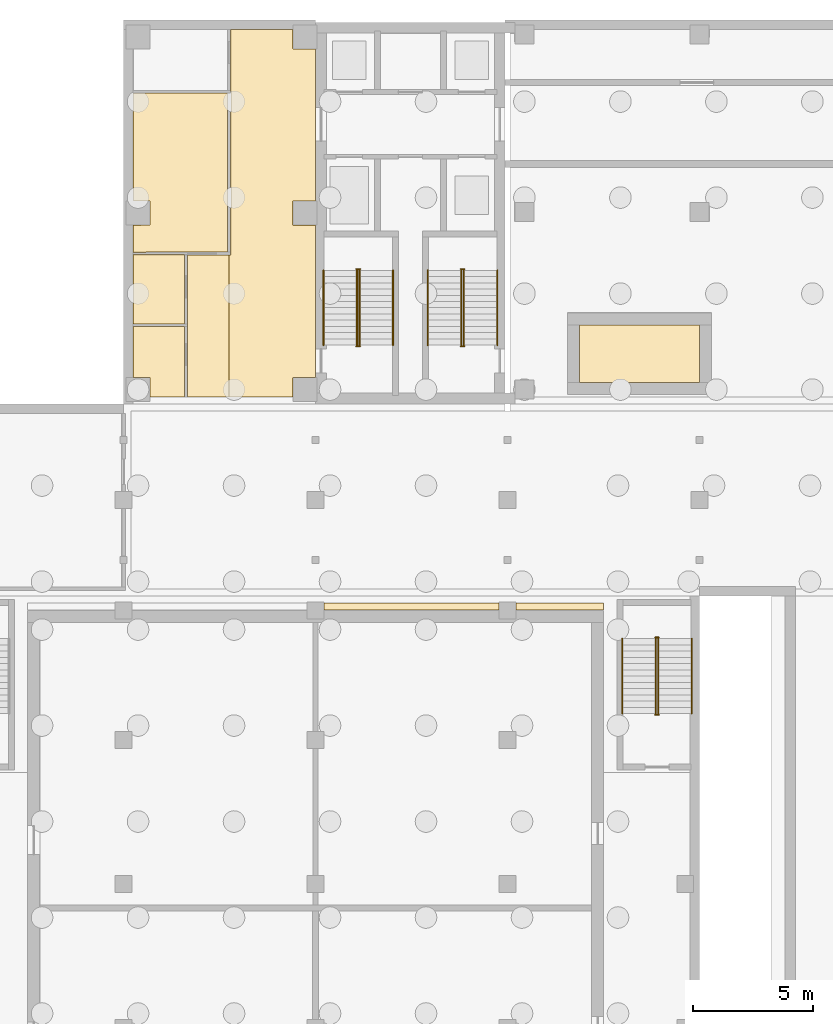
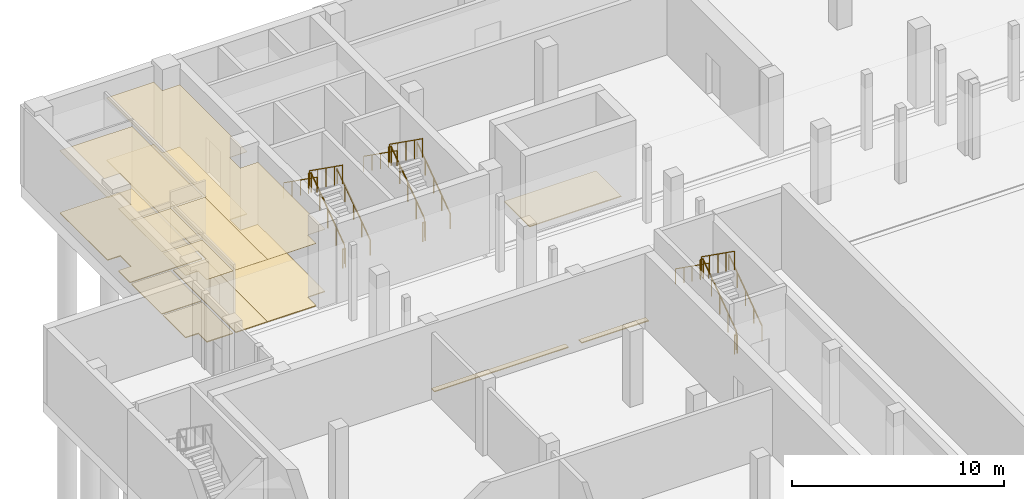
# One storey, part 14 of 21: 18 railings, 13 coverings.
"""IFC4 building model written with IfcOpenShell, lengths in metres."""

from ifc_helpers import new_model, si_unit, direction, frame, origin, origin_2d, place, context, subcontext, project, spatial, polyline, circle, outline, extrude, material, layer, layer_set, type_object, element, save


model = new_model("IFC4")

# Units and contexts
model_context = context("Model", 3, precision=1e-05, world=origin(), true_north=direction((0.0, 1.0)))
body_context = subcontext(model_context, "Body", "Model", "MODEL_VIEW")
ifc_project = project(units=[si_unit("LENGTHUNIT", "METRE"), si_unit("AREAUNIT", "SQUARE_METRE"), si_unit("VOLUMEUNIT", "CUBIC_METRE"), si_unit("PLANEANGLEUNIT", "RADIAN"), si_unit("MASSUNIT", "GRAM", prefix="KILO")], contexts=[model_context])

# Site, building, storey
site_placement = place(None, origin())
site = spatial("IfcSite", under=ifc_project, at=site_placement, CompositionType="ELEMENT")
building_placement = place(site_placement, origin())
building = spatial("IfcBuilding", under=site, at=building_placement, Name="Lantern Court Media Centre", CompositionType="ELEMENT")
storey_placement = place(building_placement, frame((0.0, 0.0, -4.800048828125)))
storey = spatial("IfcBuildingStorey", under=building, at=storey_placement, Name="B1", CompositionType="ELEMENT", Elevation=-4.800048828125)

# Coverings
ifc_material_1 = material(Name="Carpet")
ifc_layer_1 = layer(ifc_material_1, 0.050048828125)
ifc_layer_set_1 = layer_set([ifc_layer_1], Name="Carpet")
covering_type_1 = type_object("IfcCoveringType", Name="Carpet floor finish", PredefinedType="FLOORING", material=ifc_layer_set_1)
covering_1_placement = place(storey_placement, origin())
element("IfcCovering", 1, at=covering_1_placement, inside=storey, type_object=covering_type_1, Name="Chiller Plant Room floor finish", PredefinedType="FLOORING", context=body_context, shape_type="SweptSolid", body=[
    extrude(outline(polyline([(8.405029296875, 55.445068359375), (9.10498046875, 55.449951171875), (9.104248046875, 56.452880859375), (8.405029296875, 56.455078125), (8.405029296875, 60.9560546875), (12.33251953125, 60.9560546875), (12.33251953125, 54.33740234375), (8.405029296875, 54.324951171875), (8.405029296875, 55.445068359375)])), origin(), (0.0, 0.0, 1.0), 0.050048828125),
])
covering_2_placement = place(storey_placement, origin())
element("IfcCovering", 2, at=covering_2_placement, inside=storey, type_object=covering_type_1, Name="WC Male floor finish", PredefinedType="FLOORING", context=body_context, shape_type="SweptSolid", body=[
    extrude(outline(polyline([(9.10498046875, 48.300048828125), (9.103759765625, 49.103271484375), (8.405029296875, 49.10498046875), (8.405029296875, 51.22998046875), (10.532470703125, 51.22998046875), (10.532470703125, 48.300048828125), (9.10498046875, 48.300048828125)])), origin(), (0.0, 0.0, 1.0), 0.050048828125),
])
covering_3_placement = place(storey_placement, origin())
element("IfcCovering", 3, at=covering_3_placement, inside=storey, type_object=covering_type_1, Name="WC Female floor finish", PredefinedType="FLOORING", context=body_context, shape_type="SweptSolid", body=[
    extrude(outline(polyline([(8.405029296875, 54.215087890625), (10.532470703125, 54.215087890625), (10.532470703125, 51.340087890625), (8.405029296875, 51.340087890625), (8.405029296875, 54.215087890625)])), origin(), (0.0, 0.0, 1.0), 0.050048828125),
])
covering_4_placement = place(storey_placement, origin())
element("IfcCovering", 4, at=covering_4_placement, inside=storey, type_object=covering_type_1, Name="Fuel and Oil Store floor finish", PredefinedType="FLOORING", context=body_context, shape_type="SweptSolid", body=[
    extrude(outline(polyline([(23.64501953125, 39.699951171875), (23.64501953125, 39.405029296875), (16.35498046875, 39.405029296875), (16.35498046875, 39.699951171875), (23.64501953125, 39.699951171875)])), origin(), (0.0, 0.0, 1.0), 0.050048828125),
])
covering_5_placement = place(storey_placement, origin())
element("IfcCovering", 5, at=covering_5_placement, inside=storey, type_object=covering_type_1, Name="Fuel and Oil Store floor finish", PredefinedType="FLOORING", context=body_context, shape_type="SweptSolid", body=[
    extrude(outline(polyline([(28.0, 39.699951171875), (28.0, 39.405029296875), (24.35498046875, 39.405029296875), (24.35498046875, 39.699951171875), (28.0, 39.699951171875)])), origin(), (0.0, 0.0, 1.0), 0.050048828125),
])
covering_6_placement = place(storey_placement, origin())
element("IfcCovering", 6, at=covering_6_placement, inside=storey, type_object=covering_type_1, Name="Library Archive Vault floor finish", PredefinedType="FLOORING", context=body_context, shape_type="SweptSolid", body=[
    extrude(outline(polyline([(31.9951171875, 48.905029296875), (27.0048828125, 48.905029296875), (27.0048828125, 51.294921875), (31.9951171875, 51.294921875), (31.9951171875, 48.905029296875)])), origin(), (0.0, 0.0, 1.0), 0.050048828125),
])

# Railings
ifc_material_2 = material(Name="Powder-coated steel", Category="steel")
railing_type_1 = type_object("IfcRailingType", Name="Stair guard 1100", PredefinedType="GUARDRAIL", material=ifc_material_2)
railing_1_placement = place(storey_placement, frame((17.825927734375, 50.449951171875, 0.1845703125)))
element("IfcRailing", 7, at=railing_1_placement, inside=storey, type_object=railing_type_1, Name="B1 ST-SWA stair guard 1", PredefinedType="GUARDRAIL", context=body_context, shape_type="SweptSolid", body=[
    extrude(circle(Radius=0.02392578125, at=origin_2d()), frame((0.0, 0.0, 1.076171875), z_axis=(0.0, 0.815346844174, 0.578972817752), x_axis=(-1.0, 0.0, 0.0)), (0.0, 0.0, 1.0), 3.82666015625),
    extrude(circle(Radius=0.02099609375, at=origin_2d()), origin(), (0.0, 0.0, 1.0), 1.052001953125),
    extrude(circle(Radius=0.02099609375, at=origin_2d()), frame((0.0, 0.780029296875, 0.553955078125)), (0.0, 0.0, 1.0), 1.052001953125),
    extrude(circle(Radius=0.02099609375, at=origin_2d()), frame((0.0, 1.56005859375, 1.10791015625)), (0.0, 0.0, 1.0), 1.052001953125),
    extrude(circle(Radius=0.02099609375, at=origin_2d()), frame((0.0, 2.340087890625, 1.66162109375)), (0.0, 0.0, 1.0), 1.052001953125),
    extrude(circle(Radius=0.02099609375, at=origin_2d()), frame((0.0, 3.1201171875, 2.215576171875)), (0.0, 0.0, 1.0), 1.052001953125),
])
railing_2_placement = place(storey_placement, frame((17.85009765625, 53.6201171875, 2.400146484375)))
element("IfcRailing", 8, at=railing_2_placement, inside=storey, type_object=railing_type_1, Name="B1 ST-SWA stair guard 2", PredefinedType="GUARDRAIL", context=body_context, shape_type="SweptSolid", body=[
    extrude(circle(Radius=0.02392578125, at=origin_2d()), frame((0.0, 0.0, 1.076171875), z_axis=(-1.0, 0.0, 0.0), x_axis=(0.0, -1.0, 0.0)), (0.0, 0.0, 1.0), 0.150146484375),
    extrude(circle(Radius=0.02099609375, at=origin_2d()), origin(), (0.0, 0.0, 1.0), 1.052001953125),
    extrude(circle(Radius=0.02099609375, at=origin_2d()), frame((-0.150146484375, 0.0, 0.0)), (0.0, 0.0, 1.0), 1.052001953125),
])
railing_3_placement = place(storey_placement, frame((17.72412109375, 53.570068359375, 2.584716796875)))
element("IfcRailing", 9, at=railing_3_placement, inside=storey, type_object=railing_type_1, Name="B1 ST-SWA stair guard 3", PredefinedType="GUARDRAIL", context=body_context, shape_type="SweptSolid", body=[
    extrude(circle(Radius=0.02392578125, at=origin_2d()), frame((0.0, 0.0, 1.076171875), z_axis=(0.0, -0.815376961211, 0.578930402662), x_axis=(1.0, 0.0, 0.0)), (0.0, 0.0, 1.0), 3.82666015625),
    extrude(circle(Radius=0.02099609375, at=origin_2d()), origin(), (0.0, 0.0, 1.0), 1.052001953125),
    extrude(circle(Radius=0.02099609375, at=origin_2d()), frame((0.0, -0.780029296875, 0.5537109375)), (0.0, 0.0, 1.0), 1.052001953125),
    extrude(circle(Radius=0.02099609375, at=origin_2d()), frame((0.0, -1.56005859375, 1.107666015625)), (0.0, 0.0, 1.0), 1.052001953125),
    extrude(circle(Radius=0.02099609375, at=origin_2d()), frame((0.0, -2.340087890625, 1.66162109375)), (0.0, 0.0, 1.0), 1.052001953125),
    extrude(circle(Radius=0.02099609375, at=origin_2d()), frame((0.0, -3.1201171875, 2.21533203125)), (0.0, 0.0, 1.0), 1.052001953125),
])
railing_4_placement = place(storey_placement, frame((17.85009765625, 50.39990234375, 0.0)))
element("IfcRailing", 10, at=railing_4_placement, inside=storey, type_object=railing_type_1, Name="B1 ST-SWA stair guard 4", PredefinedType="GUARDRAIL", context=body_context, shape_type="SweptSolid", body=[
    extrude(circle(Radius=0.02392578125, at=origin_2d()), frame((0.0, 0.0, 1.076171875), z_axis=(-1.0, 0.0, 0.0), x_axis=(0.0, -1.0, 0.0)), (0.0, 0.0, 1.0), 0.150146484375),
    extrude(circle(Radius=0.02099609375, at=origin_2d()), origin(), (0.0, 0.0, 1.0), 1.052001953125),
    extrude(circle(Radius=0.02099609375, at=origin_2d()), frame((-0.150146484375, 0.0, 0.0)), (0.0, 0.0, 1.0), 1.052001953125),
])
railing_5_placement = place(storey_placement, frame((22.176025390625, 50.449951171875, 0.1845703125)))
element("IfcRailing", 11, at=railing_5_placement, inside=storey, type_object=railing_type_1, Name="B1 ST-SWB stair guard 1", PredefinedType="GUARDRAIL", context=body_context, shape_type="SweptSolid", body=[
    extrude(circle(Radius=0.02392578125, at=origin_2d()), frame((0.0, 0.0, 1.076171875), z_axis=(0.0, 0.815346844174, 0.578972817752), x_axis=(-1.0, 0.0, 0.0)), (0.0, 0.0, 1.0), 3.82666015625),
    extrude(circle(Radius=0.02099609375, at=origin_2d()), origin(), (0.0, 0.0, 1.0), 1.052001953125),
    extrude(circle(Radius=0.02099609375, at=origin_2d()), frame((0.0, 0.780029296875, 0.553955078125)), (0.0, 0.0, 1.0), 1.052001953125),
    extrude(circle(Radius=0.02099609375, at=origin_2d()), frame((0.0, 1.56005859375, 1.10791015625)), (0.0, 0.0, 1.0), 1.052001953125),
    extrude(circle(Radius=0.02099609375, at=origin_2d()), frame((0.0, 2.340087890625, 1.66162109375)), (0.0, 0.0, 1.0), 1.052001953125),
    extrude(circle(Radius=0.02099609375, at=origin_2d()), frame((0.0, 3.1201171875, 2.215576171875)), (0.0, 0.0, 1.0), 1.052001953125),
])
railing_6_placement = place(storey_placement, frame((22.199951171875, 53.6201171875, 2.400146484375)))
element("IfcRailing", 12, at=railing_6_placement, inside=storey, type_object=railing_type_1, Name="B1 ST-SWB stair guard 2", PredefinedType="GUARDRAIL", context=body_context, shape_type="SweptSolid", body=[
    extrude(circle(Radius=0.02392578125, at=origin_2d()), frame((0.0, 0.0, 1.076171875), z_axis=(-1.0, 0.0, 0.0), x_axis=(0.0, -1.0, 0.0)), (0.0, 0.0, 1.0), 0.14990234375),
    extrude(circle(Radius=0.02099609375, at=origin_2d()), origin(), (0.0, 0.0, 1.0), 1.052001953125),
    extrude(circle(Radius=0.02099609375, at=origin_2d()), frame((-0.14990234375, 0.0, 0.0)), (0.0, 0.0, 1.0), 1.052001953125),
])
railing_7_placement = place(storey_placement, frame((22.073974609375, 53.570068359375, 2.584716796875)))
element("IfcRailing", 13, at=railing_7_placement, inside=storey, type_object=railing_type_1, Name="B1 ST-SWB stair guard 3", PredefinedType="GUARDRAIL", context=body_context, shape_type="SweptSolid", body=[
    extrude(circle(Radius=0.02392578125, at=origin_2d()), frame((0.0, 0.0, 1.076171875), z_axis=(0.0, -0.815376961211, 0.578930402662), x_axis=(1.0, 0.0, 0.0)), (0.0, 0.0, 1.0), 3.82666015625),
    extrude(circle(Radius=0.02099609375, at=origin_2d()), origin(), (0.0, 0.0, 1.0), 1.052001953125),
    extrude(circle(Radius=0.02099609375, at=origin_2d()), frame((0.0, -0.780029296875, 0.5537109375)), (0.0, 0.0, 1.0), 1.052001953125),
    extrude(circle(Radius=0.02099609375, at=origin_2d()), frame((0.0, -1.56005859375, 1.107666015625)), (0.0, 0.0, 1.0), 1.052001953125),
    extrude(circle(Radius=0.02099609375, at=origin_2d()), frame((0.0, -2.340087890625, 1.66162109375)), (0.0, 0.0, 1.0), 1.052001953125),
    extrude(circle(Radius=0.02099609375, at=origin_2d()), frame((0.0, -3.1201171875, 2.21533203125)), (0.0, 0.0, 1.0), 1.052001953125),
])
railing_8_placement = place(storey_placement, frame((22.199951171875, 50.39990234375, 0.0)))
element("IfcRailing", 14, at=railing_8_placement, inside=storey, type_object=railing_type_1, Name="B1 ST-SWB stair guard 4", PredefinedType="GUARDRAIL", context=body_context, shape_type="SweptSolid", body=[
    extrude(circle(Radius=0.02392578125, at=origin_2d()), frame((0.0, 0.0, 1.076171875), z_axis=(-1.0, 0.0, 0.0), x_axis=(0.0, -1.0, 0.0)), (0.0, 0.0, 1.0), 0.14990234375),
    extrude(circle(Radius=0.02099609375, at=origin_2d()), origin(), (0.0, 0.0, 1.0), 1.052001953125),
    extrude(circle(Radius=0.02099609375, at=origin_2d()), frame((-0.14990234375, 0.0, 0.0)), (0.0, 0.0, 1.0), 1.052001953125),
])
railing_9_placement = place(storey_placement, frame((30.27587890625, 35.10009765625, 0.1845703125)))
element("IfcRailing", 15, at=railing_9_placement, inside=storey, type_object=railing_type_1, Name="B1 ST-V1-ST-E stair guard 1", PredefinedType="GUARDRAIL", context=body_context, shape_type="SweptSolid", body=[
    extrude(circle(Radius=0.02392578125, at=origin_2d()), frame((0.0, 0.0, 1.076171875), z_axis=(0.0, 0.815325456587, 0.579002935952), x_axis=(-1.0, 0.0, 0.0)), (0.0, 0.0, 1.0), 3.826416015625),
    extrude(circle(Radius=0.02099609375, at=origin_2d()), origin(), (0.0, 0.0, 1.0), 1.052001953125),
    extrude(circle(Radius=0.02099609375, at=origin_2d()), frame((0.0, 0.780029296875, 0.553955078125)), (0.0, 0.0, 1.0), 1.052001953125),
    extrude(circle(Radius=0.02099609375, at=origin_2d()), frame((0.0, 1.56005859375, 1.10791015625)), (0.0, 0.0, 1.0), 1.052001953125),
    extrude(circle(Radius=0.02099609375, at=origin_2d()), frame((0.0, 2.33984375, 1.66162109375)), (0.0, 0.0, 1.0), 1.052001953125),
    extrude(circle(Radius=0.02099609375, at=origin_2d()), frame((0.0, 3.119873046875, 2.215576171875)), (0.0, 0.0, 1.0), 1.052001953125),
])
railing_10_placement = place(storey_placement, frame((30.300048828125, 38.27001953125, 2.400146484375)))
element("IfcRailing", 16, at=railing_10_placement, inside=storey, type_object=railing_type_1, Name="B1 ST-V1-ST-E stair guard 2", PredefinedType="GUARDRAIL", context=body_context, shape_type="SweptSolid", body=[
    extrude(circle(Radius=0.02392578125, at=origin_2d()), frame((0.0, 0.0, 1.076171875), z_axis=(-1.0, 0.0, 0.0), x_axis=(0.0, -1.0, 0.0)), (0.0, 0.0, 1.0), 0.150146484375),
    extrude(circle(Radius=0.02099609375, at=origin_2d()), origin(), (0.0, 0.0, 1.0), 1.052001953125),
    extrude(circle(Radius=0.02099609375, at=origin_2d()), frame((-0.150146484375, 0.0, 0.0)), (0.0, 0.0, 1.0), 1.052001953125),
])
railing_11_placement = place(storey_placement, frame((30.174072265625, 38.219970703125, 2.584716796875)))
element("IfcRailing", 17, at=railing_11_placement, inside=storey, type_object=railing_type_1, Name="B1 ST-V1-ST-E stair guard 3", PredefinedType="GUARDRAIL", context=body_context, shape_type="SweptSolid", body=[
    extrude(circle(Radius=0.02392578125, at=origin_2d()), frame((0.0, 0.0, 1.076171875), z_axis=(0.0, -0.815355575968, 0.57896052088), x_axis=(1.0, 0.0, 0.0)), (0.0, 0.0, 1.0), 3.826416015625),
    extrude(circle(Radius=0.02099609375, at=origin_2d()), origin(), (0.0, 0.0, 1.0), 1.052001953125),
    extrude(circle(Radius=0.02099609375, at=origin_2d()), frame((0.0, -0.780029296875, 0.5537109375)), (0.0, 0.0, 1.0), 1.052001953125),
    extrude(circle(Radius=0.02099609375, at=origin_2d()), frame((0.0, -1.56005859375, 1.107666015625)), (0.0, 0.0, 1.0), 1.052001953125),
    extrude(circle(Radius=0.02099609375, at=origin_2d()), frame((0.0, -2.33984375, 1.66162109375)), (0.0, 0.0, 1.0), 1.052001953125),
    extrude(circle(Radius=0.02099609375, at=origin_2d()), frame((0.0, -3.119873046875, 2.21533203125)), (0.0, 0.0, 1.0), 1.052001953125),
])
railing_12_placement = place(storey_placement, frame((30.300048828125, 35.050048828125, 0.0)))
element("IfcRailing", 18, at=railing_12_placement, inside=storey, type_object=railing_type_1, Name="B1 ST-V1-ST-E stair guard 4", PredefinedType="GUARDRAIL", context=body_context, shape_type="SweptSolid", body=[
    extrude(circle(Radius=0.02392578125, at=origin_2d()), frame((0.0, 0.0, 1.076171875), z_axis=(-1.0, 0.0, 0.0), x_axis=(0.0, -1.0, 0.0)), (0.0, 0.0, 1.0), 0.150146484375),
    extrude(circle(Radius=0.02099609375, at=origin_2d()), origin(), (0.0, 0.0, 1.0), 1.052001953125),
    extrude(circle(Radius=0.02099609375, at=origin_2d()), frame((-0.150146484375, 0.0, 0.0)), (0.0, 0.0, 1.0), 1.052001953125),
])
railing_type_2 = type_object("IfcRailingType", Name="Stair handrail 900", PredefinedType="HANDRAIL", material=ifc_material_2)
railing_13_placement = place(storey_placement, frame((19.22412109375, 50.449951171875, 0.1845703125)))
element("IfcRailing", 19, at=railing_13_placement, inside=storey, type_object=railing_type_2, Name="B1 ST-SWA stair handrail 1", PredefinedType="HANDRAIL", context=body_context, shape_type="SweptSolid", body=[
    extrude(circle(Radius=0.02392578125, at=origin_2d()), frame((0.0, 0.0, 0.8759765625), z_axis=(0.0, 0.815346844174, 0.578972817752), x_axis=(-1.0, 0.0, 0.0)), (0.0, 0.0, 1.0), 3.82666015625),
    extrude(circle(Radius=0.02099609375, at=origin_2d()), origin(), (0.0, 0.0, 1.0), 0.851806640625),
    extrude(circle(Radius=0.02099609375, at=origin_2d()), frame((0.0, 0.780029296875, 0.553955078125)), (0.0, 0.0, 1.0), 0.851806640625),
    extrude(circle(Radius=0.02099609375, at=origin_2d()), frame((0.0, 1.56005859375, 1.10791015625)), (0.0, 0.0, 1.0), 0.851806640625),
    extrude(circle(Radius=0.02099609375, at=origin_2d()), frame((0.0, 2.340087890625, 1.66162109375)), (0.0, 0.0, 1.0), 0.851806640625),
    extrude(circle(Radius=0.02099609375, at=origin_2d()), frame((0.0, 3.1201171875, 2.215576171875)), (0.0, 0.0, 1.0), 0.851806640625),
])
railing_14_placement = place(storey_placement, frame((16.325927734375, 53.570068359375, 2.584716796875)))
element("IfcRailing", 20, at=railing_14_placement, inside=storey, type_object=railing_type_2, Name="B1 ST-SWA stair handrail 2", PredefinedType="HANDRAIL", context=body_context, shape_type="SweptSolid", body=[
    extrude(circle(Radius=0.02392578125, at=origin_2d()), frame((0.0, 0.0, 0.8759765625), z_axis=(0.0, -0.815376961211, 0.578930402662), x_axis=(1.0, 0.0, 0.0)), (0.0, 0.0, 1.0), 3.82666015625),
    extrude(circle(Radius=0.02099609375, at=origin_2d()), origin(), (0.0, 0.0, 1.0), 0.851806640625),
    extrude(circle(Radius=0.02099609375, at=origin_2d()), frame((0.0, -0.780029296875, 0.5537109375)), (0.0, 0.0, 1.0), 0.851806640625),
    extrude(circle(Radius=0.02099609375, at=origin_2d()), frame((0.0, -1.56005859375, 1.107666015625)), (0.0, 0.0, 1.0), 0.851806640625),
    extrude(circle(Radius=0.02099609375, at=origin_2d()), frame((0.0, -2.340087890625, 1.66162109375)), (0.0, 0.0, 1.0), 0.851806640625),
    extrude(circle(Radius=0.02099609375, at=origin_2d()), frame((0.0, -3.1201171875, 2.21533203125)), (0.0, 0.0, 1.0), 0.851806640625),
])
railing_15_placement = place(storey_placement, frame((23.573974609375, 50.449951171875, 0.1845703125)))
element("IfcRailing", 21, at=railing_15_placement, inside=storey, type_object=railing_type_2, Name="B1 ST-SWB stair handrail 1", PredefinedType="HANDRAIL", context=body_context, shape_type="SweptSolid", body=[
    extrude(circle(Radius=0.02392578125, at=origin_2d()), frame((0.0, 0.0, 0.8759765625), z_axis=(0.0, 0.815346844174, 0.578972817752), x_axis=(-1.0, 0.0, 0.0)), (0.0, 0.0, 1.0), 3.82666015625),
    extrude(circle(Radius=0.02099609375, at=origin_2d()), origin(), (0.0, 0.0, 1.0), 0.851806640625),
    extrude(circle(Radius=0.02099609375, at=origin_2d()), frame((0.0, 0.780029296875, 0.553955078125)), (0.0, 0.0, 1.0), 0.851806640625),
    extrude(circle(Radius=0.02099609375, at=origin_2d()), frame((0.0, 1.56005859375, 1.10791015625)), (0.0, 0.0, 1.0), 0.851806640625),
    extrude(circle(Radius=0.02099609375, at=origin_2d()), frame((0.0, 2.340087890625, 1.66162109375)), (0.0, 0.0, 1.0), 0.851806640625),
    extrude(circle(Radius=0.02099609375, at=origin_2d()), frame((0.0, 3.1201171875, 2.215576171875)), (0.0, 0.0, 1.0), 0.851806640625),
])
railing_16_placement = place(storey_placement, frame((20.676025390625, 53.570068359375, 2.584716796875)))
element("IfcRailing", 22, at=railing_16_placement, inside=storey, type_object=railing_type_2, Name="B1 ST-SWB stair handrail 2", PredefinedType="HANDRAIL", context=body_context, shape_type="SweptSolid", body=[
    extrude(circle(Radius=0.02392578125, at=origin_2d()), frame((0.0, 0.0, 0.8759765625), z_axis=(0.0, -0.815376961211, 0.578930402662), x_axis=(1.0, 0.0, 0.0)), (0.0, 0.0, 1.0), 3.82666015625),
    extrude(circle(Radius=0.02099609375, at=origin_2d()), origin(), (0.0, 0.0, 1.0), 0.851806640625),
    extrude(circle(Radius=0.02099609375, at=origin_2d()), frame((0.0, -0.780029296875, 0.5537109375)), (0.0, 0.0, 1.0), 0.851806640625),
    extrude(circle(Radius=0.02099609375, at=origin_2d()), frame((0.0, -1.56005859375, 1.107666015625)), (0.0, 0.0, 1.0), 0.851806640625),
    extrude(circle(Radius=0.02099609375, at=origin_2d()), frame((0.0, -2.340087890625, 1.66162109375)), (0.0, 0.0, 1.0), 0.851806640625),
    extrude(circle(Radius=0.02099609375, at=origin_2d()), frame((0.0, -3.1201171875, 2.21533203125)), (0.0, 0.0, 1.0), 0.851806640625),
])
railing_17_placement = place(storey_placement, frame((31.674072265625, 35.10009765625, 0.1845703125)))
element("IfcRailing", 23, at=railing_17_placement, inside=storey, type_object=railing_type_2, Name="B1 ST-V1-ST-E stair handrail 1", PredefinedType="HANDRAIL", context=body_context, shape_type="SweptSolid", body=[
    extrude(circle(Radius=0.02392578125, at=origin_2d()), frame((0.0, 0.0, 0.8759765625), z_axis=(0.0, 0.815325456587, 0.579002935952), x_axis=(-1.0, 0.0, 0.0)), (0.0, 0.0, 1.0), 3.826416015625),
    extrude(circle(Radius=0.02099609375, at=origin_2d()), origin(), (0.0, 0.0, 1.0), 0.851806640625),
    extrude(circle(Radius=0.02099609375, at=origin_2d()), frame((0.0, 0.780029296875, 0.553955078125)), (0.0, 0.0, 1.0), 0.851806640625),
    extrude(circle(Radius=0.02099609375, at=origin_2d()), frame((0.0, 1.56005859375, 1.10791015625)), (0.0, 0.0, 1.0), 0.851806640625),
    extrude(circle(Radius=0.02099609375, at=origin_2d()), frame((0.0, 2.33984375, 1.66162109375)), (0.0, 0.0, 1.0), 0.851806640625),
    extrude(circle(Radius=0.02099609375, at=origin_2d()), frame((0.0, 3.119873046875, 2.215576171875)), (0.0, 0.0, 1.0), 0.851806640625),
])
railing_18_placement = place(storey_placement, frame((28.77587890625, 38.219970703125, 2.584716796875)))
element("IfcRailing", 24, at=railing_18_placement, inside=storey, type_object=railing_type_2, Name="B1 ST-V1-ST-E stair handrail 2", PredefinedType="HANDRAIL", context=body_context, shape_type="SweptSolid", body=[
    extrude(circle(Radius=0.02392578125, at=origin_2d()), frame((0.0, 0.0, 0.8759765625), z_axis=(0.0, -0.815355575968, 0.57896052088), x_axis=(1.0, 0.0, 0.0)), (0.0, 0.0, 1.0), 3.826416015625),
    extrude(circle(Radius=0.02099609375, at=origin_2d()), origin(), (0.0, 0.0, 1.0), 0.851806640625),
    extrude(circle(Radius=0.02099609375, at=origin_2d()), frame((0.0, -0.780029296875, 0.5537109375)), (0.0, 0.0, 1.0), 0.851806640625),
    extrude(circle(Radius=0.02099609375, at=origin_2d()), frame((0.0, -1.56005859375, 1.107666015625)), (0.0, 0.0, 1.0), 0.851806640625),
    extrude(circle(Radius=0.02099609375, at=origin_2d()), frame((0.0, -2.33984375, 1.66162109375)), (0.0, 0.0, 1.0), 0.851806640625),
    extrude(circle(Radius=0.02099609375, at=origin_2d()), frame((0.0, -3.119873046875, 2.21533203125)), (0.0, 0.0, 1.0), 0.851806640625),
])

# Coverings
ifc_material_3 = material(Name="Mineral fibre ceiling tile")
ifc_layer_2 = layer(ifc_material_3, 0.02001953125)
ifc_layer_set_2 = layer_set([ifc_layer_2], Name="Mineral fibre ceiling tile")
covering_type_2 = type_object("IfcCoveringType", Name="Suspended ceiling tile", PredefinedType="CEILING", material=ifc_layer_set_2)
covering_7_placement = place(storey_placement, frame((0.0, 0.0, 3.60009765625)))
element("IfcCovering", 25, at=covering_7_placement, inside=storey, type_object=covering_type_2, Name="Corridor ceiling", PredefinedType="CEILING", context=body_context, shape_type="SweptSolid", body=[
    extrude(outline(polyline([(12.39990234375, 48.300048828125), (12.39990234375, 54.20703125), (12.462890625, 54.20751953125), (12.462890625, 63.599609375), (15.049560546875, 63.599609375), (15.049560546875, 62.799560546875), (15.99951171875, 62.799560546875), (15.99951171875, 56.450439453125), (15.049560546875, 56.449951171875), (15.049560546875, 55.44970703125), (15.99951171875, 55.449462890625), (15.99951171875, 49.1005859375), (15.049560546875, 49.100341796875), (15.049560546875, 48.300048828125), (12.39990234375, 48.300048828125)])), origin(), (0.0, 0.0, 1.0), 0.02001953125),
])
covering_8_placement = place(storey_placement, frame((0.0, 0.0, 3.60009765625)))
element("IfcCovering", 26, at=covering_8_placement, inside=storey, type_object=covering_type_2, Name="Chiller Plant Room ceiling", PredefinedType="CEILING", context=body_context, shape_type="SweptSolid", body=[
    extrude(outline(polyline([(8.400390625, 55.449462890625), (9.1005859375, 55.449951171875), (9.100341796875, 56.4501953125), (8.400390625, 56.450439453125), (8.400390625, 60.96044921875), (12.3369140625, 60.96044921875), (12.3369140625, 54.3330078125), (8.400390625, 54.320556640625), (8.400390625, 55.449462890625)])), origin(), (0.0, 0.0, 1.0), 0.02001953125),
])
covering_9_placement = place(storey_placement, frame((0.0, 0.0, 3.60009765625)))
element("IfcCovering", 27, at=covering_9_placement, inside=storey, type_object=covering_type_2, Name="WC Lobby ceiling", PredefinedType="CEILING", context=body_context, shape_type="SweptSolid", body=[
    extrude(outline(polyline([(12.39990234375, 48.300048828125), (10.6630859375, 48.300048828125), (10.6630859375, 54.20703125), (12.39990234375, 54.20703125), (12.39990234375, 48.300048828125)])), origin(), (0.0, 0.0, 1.0), 0.02001953125),
])
covering_10_placement = place(storey_placement, frame((0.0, 0.0, 3.60009765625)))
element("IfcCovering", 28, at=covering_10_placement, inside=storey, type_object=covering_type_2, Name="WC Male ceiling", PredefinedType="CEILING", context=body_context, shape_type="SweptSolid", body=[
    extrude(outline(polyline([(9.1005859375, 48.300048828125), (9.100341796875, 49.100341796875), (8.400390625, 49.1005859375), (8.400390625, 51.234619140625), (10.537109375, 51.234619140625), (10.537109375, 48.300048828125), (9.1005859375, 48.300048828125)])), origin(), (0.0, 0.0, 1.0), 0.02001953125),
])
covering_11_placement = place(storey_placement, frame((0.0, 0.0, 3.60009765625)))
element("IfcCovering", 29, at=covering_11_placement, inside=storey, type_object=covering_type_2, Name="WC Female ceiling", PredefinedType="CEILING", context=body_context, shape_type="SweptSolid", body=[
    extrude(outline(polyline([(8.400390625, 54.219482421875), (10.537109375, 54.219482421875), (10.537109375, 51.33544921875), (8.400390625, 51.33544921875), (8.400390625, 54.219482421875)])), origin(), (0.0, 0.0, 1.0), 0.02001953125),
])
ifc_material_4 = material(Name="Terrazzo")
ifc_layer_3 = layer(ifc_material_4, 0.050048828125)
ifc_layer_set_3 = layer_set([ifc_layer_3], Name="Terrazzo")
covering_type_3 = type_object("IfcCoveringType", Name="Terrazzo floor finish", PredefinedType="FLOORING", material=ifc_layer_set_3)
covering_12_placement = place(storey_placement, origin())
element("IfcCovering", 30, at=covering_12_placement, inside=storey, type_object=covering_type_3, Name="Corridor floor finish", PredefinedType="FLOORING", context=body_context, shape_type="SweptSolid", body=[
    extrude(outline(polyline([(12.39990234375, 48.300048828125), (12.39990234375, 54.202392578125), (12.467529296875, 54.20751953125), (12.467529296875, 63.594970703125), (15.044921875, 63.594970703125), (15.046875, 62.796142578125), (15.9951171875, 62.794921875), (15.9951171875, 56.455078125), (15.044921875, 56.449951171875), (15.04638671875, 55.446533203125), (15.9951171875, 55.445068359375), (15.9951171875, 49.10498046875), (15.046875, 49.103759765625), (15.044921875, 48.300048828125), (12.39990234375, 48.300048828125)])), origin(), (0.0, 0.0, 1.0), 0.050048828125),
])
covering_13_placement = place(storey_placement, origin())
element("IfcCovering", 31, at=covering_13_placement, inside=storey, type_object=covering_type_3, Name="WC Lobby floor finish", PredefinedType="FLOORING", context=body_context, shape_type="SweptSolid", body=[
    extrude(outline(polyline([(12.39990234375, 48.300048828125), (10.66748046875, 48.300048828125), (10.66748046875, 54.202392578125), (12.39990234375, 54.202392578125), (12.39990234375, 48.300048828125)])), origin(), (0.0, 0.0, 1.0), 0.050048828125),
])

save(model, "model.ifc")
